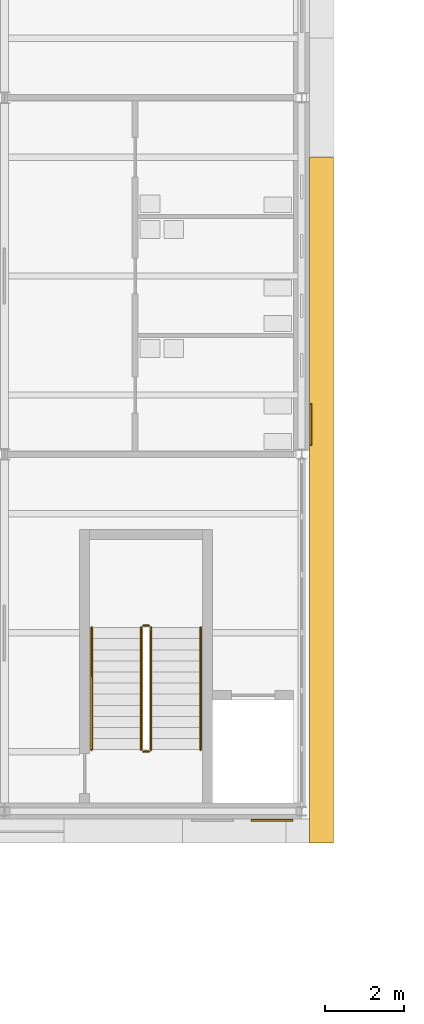
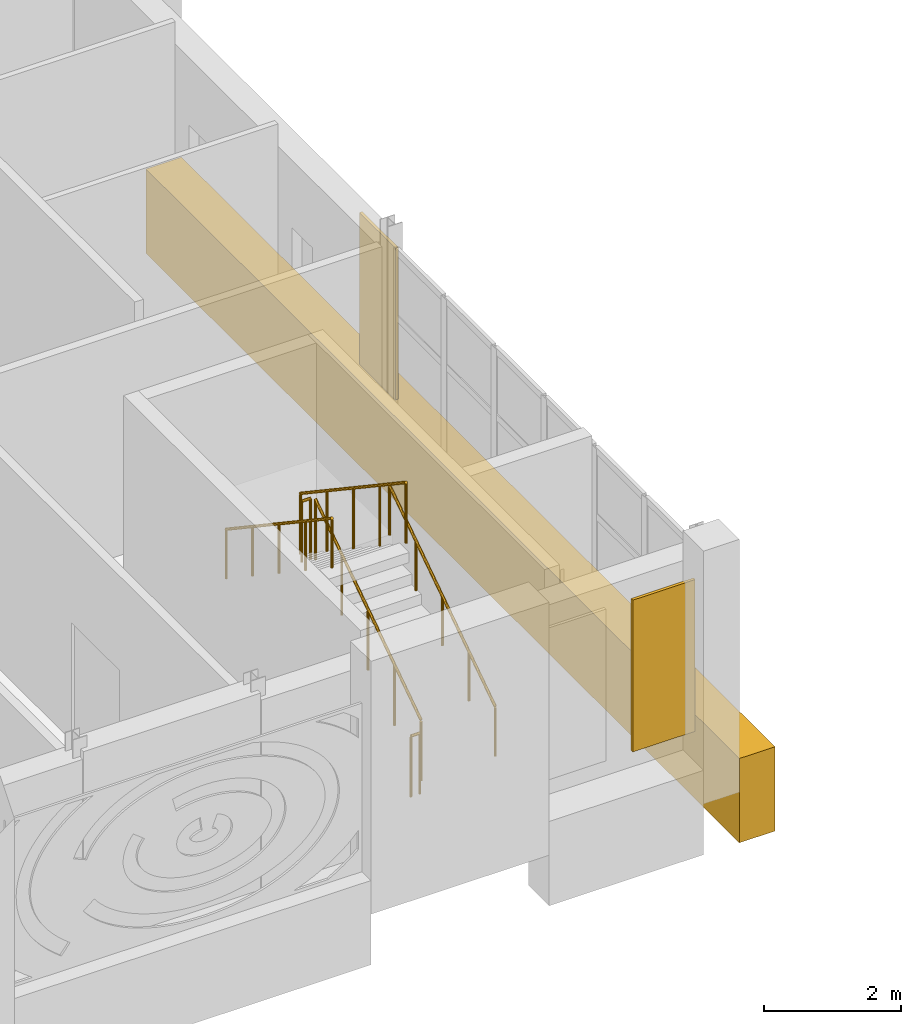
# One storey, part 115 of 131: 6 railings, 3 coverings.
"""IFC4 building model written with IfcOpenShell, lengths in metres."""

from ifc_helpers import new_model, si_unit, direction, frame, origin, origin_2d, place, context, subcontext, project, spatial, polyline, circle, outline, extrude, material, layer, layer_set, type_object, element, save


model = new_model("IFC4")

# Units and contexts
model_context = context("Model", 3, precision=1e-05, world=origin(), true_north=direction((0.0, 1.0)))
body_context = subcontext(model_context, "Body", "Model", "MODEL_VIEW")
ifc_project = project(units=[si_unit("LENGTHUNIT", "METRE"), si_unit("AREAUNIT", "SQUARE_METRE"), si_unit("VOLUMEUNIT", "CUBIC_METRE"), si_unit("PLANEANGLEUNIT", "RADIAN"), si_unit("MASSUNIT", "GRAM", prefix="KILO")], contexts=[model_context])

# Site, building, storey
site_placement = place(None, origin())
site = spatial("IfcSite", under=ifc_project, at=site_placement, CompositionType="ELEMENT")
building_placement = place(site_placement, origin())
building = spatial("IfcBuilding", under=site, at=building_placement, Name="Golden Quay Civic Hall", CompositionType="ELEMENT")
storey_placement = place(building_placement, frame((0.0, 0.0, 9.89990234375)))
storey = spatial("IfcBuildingStorey", under=building, at=storey_placement, Name="L02", CompositionType="ELEMENT", Elevation=9.89990234375)

# Railings
ifc_material_1 = material(Name="Steel S355", Category="steel")
railing_type_1 = type_object("IfcRailingType", Name="Steel guard 1100", PredefinedType="GUARDRAIL", material=ifc_material_1)
railing_1_placement = place(storey_placement, frame((113.199951171875, 1.550048828125, 0.1875)))
element("IfcRailing", 1, at=railing_1_placement, inside=storey, type_object=railing_type_1, Name="L02 EM-S stair guard 1", PredefinedType="GUARDRAIL", context=body_context, shape_type="SweptSolid", body=[
    extrude(circle(Radius=0.02392578125, at=origin_2d()), frame((0.0, 0.0, 1.076171875), z_axis=(0.0, 0.830893310487, 0.556431762742), x_axis=(-1.0, 0.0, 0.0)), (0.0, 0.0, 1.0), 3.70654296875),
    extrude(circle(Radius=0.02099609375, at=origin_2d()), origin(), (0.0, 0.0, 1.0), 1.052001953125),
    extrude(circle(Radius=0.02099609375, at=origin_2d()), frame((0.0, 0.77001953125, 0.515625)), (0.0, 0.0, 1.0), 1.052001953125),
    extrude(circle(Radius=0.02099609375, at=origin_2d()), frame((0.0, 1.5400390625, 1.03125)), (0.0, 0.0, 1.0), 1.052001953125),
    extrude(circle(Radius=0.02099609375, at=origin_2d()), frame((0.0, 2.309814453125, 1.546875)), (0.0, 0.0, 1.0), 1.052001953125),
    extrude(circle(Radius=0.02099609375, at=origin_2d()), frame((0.0, 3.079833984375, 2.0625)), (0.0, 0.0, 1.0), 1.052001953125),
])
railing_2_placement = place(storey_placement, frame((113.14990234375, 4.679931640625, 2.25)))
element("IfcRailing", 2, at=railing_2_placement, inside=storey, type_object=railing_type_1, Name="L02 EM-S stair guard 2", PredefinedType="GUARDRAIL", context=body_context, shape_type="SweptSolid", body=[
    extrude(circle(Radius=0.02392578125, at=origin_2d()), frame((0.0, 0.0, 1.076171875), z_axis=(-1.0, 0.0, 0.0), x_axis=(0.0, -1.0, 0.0)), (0.0, 0.0, 1.0), 0.14990234375),
    extrude(circle(Radius=0.02099609375, at=origin_2d()), origin(), (0.0, 0.0, 1.0), 1.052001953125),
    extrude(circle(Radius=0.02099609375, at=origin_2d()), frame((-0.14990234375, 0.0, 0.0)), (0.0, 0.0, 1.0), 1.052001953125),
])
railing_3_placement = place(storey_placement, frame((112.949951171875, 4.6298828125, 2.4375)))
element("IfcRailing", 3, at=railing_3_placement, inside=storey, type_object=railing_type_1, Name="L02 EM-S stair guard 3", PredefinedType="GUARDRAIL", context=body_context, shape_type="SweptSolid", body=[
    extrude(circle(Radius=0.02392578125, at=origin_2d()), frame((0.0, 0.0, 1.076171875), z_axis=(0.0, -0.830893310487, 0.556431762742), x_axis=(1.0, 0.0, 0.0)), (0.0, 0.0, 1.0), 3.70654296875),
    extrude(circle(Radius=0.02099609375, at=origin_2d()), origin(), (0.0, 0.0, 1.0), 1.052001953125),
    extrude(circle(Radius=0.02099609375, at=origin_2d()), frame((0.0, -0.77001953125, 0.515625)), (0.0, 0.0, 1.0), 1.052001953125),
    extrude(circle(Radius=0.02099609375, at=origin_2d()), frame((0.0, -1.5400390625, 1.03125)), (0.0, 0.0, 1.0), 1.052001953125),
    extrude(circle(Radius=0.02099609375, at=origin_2d()), frame((0.0, -2.309814453125, 1.546875)), (0.0, 0.0, 1.0), 1.052001953125),
    extrude(circle(Radius=0.02099609375, at=origin_2d()), frame((0.0, -3.079833984375, 2.0625)), (0.0, 0.0, 1.0), 1.052001953125),
])
railing_4_placement = place(storey_placement, frame((113.14990234375, 1.5, 0.0)))
element("IfcRailing", 4, at=railing_4_placement, inside=storey, type_object=railing_type_1, Name="L02 EM-S stair guard 4", PredefinedType="GUARDRAIL", context=body_context, shape_type="SweptSolid", body=[
    extrude(circle(Radius=0.02392578125, at=origin_2d()), frame((0.0, 0.0, 1.076171875), z_axis=(-1.0, 0.0, 0.0), x_axis=(0.0, -1.0, 0.0)), (0.0, 0.0, 1.0), 0.14990234375),
    extrude(circle(Radius=0.02099609375, at=origin_2d()), origin(), (0.0, 0.0, 1.0), 1.052001953125),
    extrude(circle(Radius=0.02099609375, at=origin_2d()), frame((-0.14990234375, 0.0, 0.0)), (0.0, 0.0, 1.0), 1.052001953125),
])
ifc_material_2 = material(Name="Steel S355", Category="steel")
railing_type_2 = type_object("IfcRailingType", Name="Steel handrail 900", PredefinedType="HANDRAIL", material=ifc_material_2)
railing_5_placement = place(storey_placement, frame((114.449951171875, 1.550048828125, 0.1875)))
element("IfcRailing", 5, at=railing_5_placement, inside=storey, type_object=railing_type_2, Name="L02 EM-S stair handrail 1", PredefinedType="HANDRAIL", context=body_context, shape_type="SweptSolid", body=[
    extrude(circle(Radius=0.02392578125, at=origin_2d()), frame((0.0, 0.0, 0.8759765625), z_axis=(0.0, 0.830893310487, 0.556431762742), x_axis=(-1.0, 0.0, 0.0)), (0.0, 0.0, 1.0), 3.70654296875),
    extrude(circle(Radius=0.02099609375, at=origin_2d()), origin(), (0.0, 0.0, 1.0), 0.851806640625),
    extrude(circle(Radius=0.02099609375, at=origin_2d()), frame((0.0, 0.77001953125, 0.515625)), (0.0, 0.0, 1.0), 0.851806640625),
    extrude(circle(Radius=0.02099609375, at=origin_2d()), frame((0.0, 1.5400390625, 1.03125)), (0.0, 0.0, 1.0), 0.851806640625),
    extrude(circle(Radius=0.02099609375, at=origin_2d()), frame((0.0, 2.309814453125, 1.546875)), (0.0, 0.0, 1.0), 0.851806640625),
    extrude(circle(Radius=0.02099609375, at=origin_2d()), frame((0.0, 3.079833984375, 2.0625)), (0.0, 0.0, 1.0), 0.851806640625),
])
railing_6_placement = place(storey_placement, frame((111.699951171875, 4.6298828125, 2.4375)))
element("IfcRailing", 6, at=railing_6_placement, inside=storey, type_object=railing_type_2, Name="L02 EM-S stair handrail 2", PredefinedType="HANDRAIL", context=body_context, shape_type="SweptSolid", body=[
    extrude(circle(Radius=0.02392578125, at=origin_2d()), frame((0.0, 0.0, 0.8759765625), z_axis=(0.0, -0.830893310487, 0.556431762742), x_axis=(1.0, 0.0, 0.0)), (0.0, 0.0, 1.0), 3.70654296875),
    extrude(circle(Radius=0.02099609375, at=origin_2d()), origin(), (0.0, 0.0, 1.0), 0.851806640625),
    extrude(circle(Radius=0.02099609375, at=origin_2d()), frame((0.0, -0.77001953125, 0.515625)), (0.0, 0.0, 1.0), 0.851806640625),
    extrude(circle(Radius=0.02099609375, at=origin_2d()), frame((0.0, -1.5400390625, 1.03125)), (0.0, 0.0, 1.0), 0.851806640625),
    extrude(circle(Radius=0.02099609375, at=origin_2d()), frame((0.0, -2.309814453125, 1.546875)), (0.0, 0.0, 1.0), 0.851806640625),
    extrude(circle(Radius=0.02099609375, at=origin_2d()), frame((0.0, -3.079833984375, 2.0625)), (0.0, 0.0, 1.0), 0.851806640625),
])

# Coverings
ifc_material_3 = material(Name="Terracotta cladding, golden glaze", Category="masonry")
ifc_layer = layer(ifc_material_3, 0.050048828125)
ifc_layer_set = layer_set([ifc_layer], Name="Terracotta solid panel 1050 x 2700 x 50")
covering_type_1 = type_object("IfcCoveringType", Name="Terracotta solid panel 1050 x 2700 x 50", PredefinedType="CLADDING", material=ifc_layer_set)
covering_1_placement = place(storey_placement, frame((0.0, 0.0, 0.900146484375)))
element("IfcCovering", 7, at=covering_1_placement, inside=storey, type_object=covering_type_1, Name="Terracotta solid panel 1050 x 2700 x 50 L02 32", PredefinedType="CLADDING", context=body_context, shape_type="SweptSolid", body=[
    extrude(outline(polyline([(117.199951171875, 9.22509765625), (117.199951171875, 10.27490234375), (117.25, 10.27490234375), (117.25, 9.22509765625), (117.199951171875, 9.22509765625)])), origin(), (0.0, 0.0, 1.0), 2.699951171875),
])
covering_2_placement = place(storey_placement, frame((0.0, 0.0, 0.900146484375)))
element("IfcCovering", 8, at=covering_2_placement, inside=storey, type_object=covering_type_1, Name="Terracotta solid panel 1050 x 2700 x 50 L02 37", PredefinedType="CLADDING", context=body_context, shape_type="SweptSolid", body=[
    extrude(outline(polyline([(115.72509765625, -0.199951171875), (116.77490234375, -0.199951171875), (116.77490234375, -0.25), (115.72509765625, -0.25), (115.72509765625, -0.199951171875)])), origin(), (0.0, 0.0, 1.0), 2.699951171875),
])
ifc_material_4 = material(Name="Terracotta cladding, golden glaze", Category="masonry")
covering_type_2 = type_object("IfcCoveringType", Name="Terracotta spandrel fascia 600 x 1500", PredefinedType="CLADDING", material=ifc_material_4)
covering_3_placement = place(storey_placement, frame((0.0, 0.0, -0.89990234375)))
element("IfcCovering", 9, at=covering_3_placement, inside=storey, type_object=covering_type_2, Name="Terracotta spandrel fascia 600 x 1500 L02 8", PredefinedType="CLADDING", context=body_context, shape_type="SweptSolid", body=[
    extrude(outline(polyline([(117.800048828125, -0.800048828125), (117.199951171875, -0.800048828125), (117.199951171875, -0.199951171875), (117.199951171875, 16.5), (117.800048828125, 16.5), (117.800048828125, -0.800048828125)])), origin(), (0.0, 0.0, 1.0), 1.5),
])

save(model, "model.ifc")
